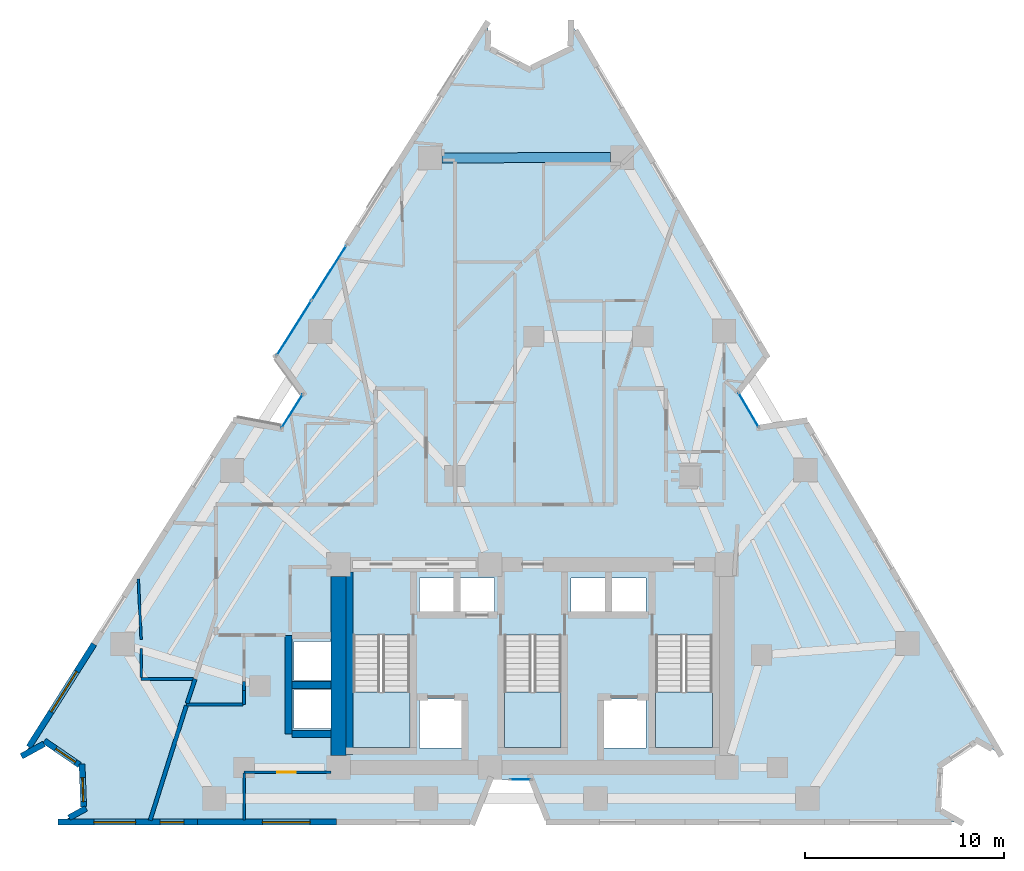
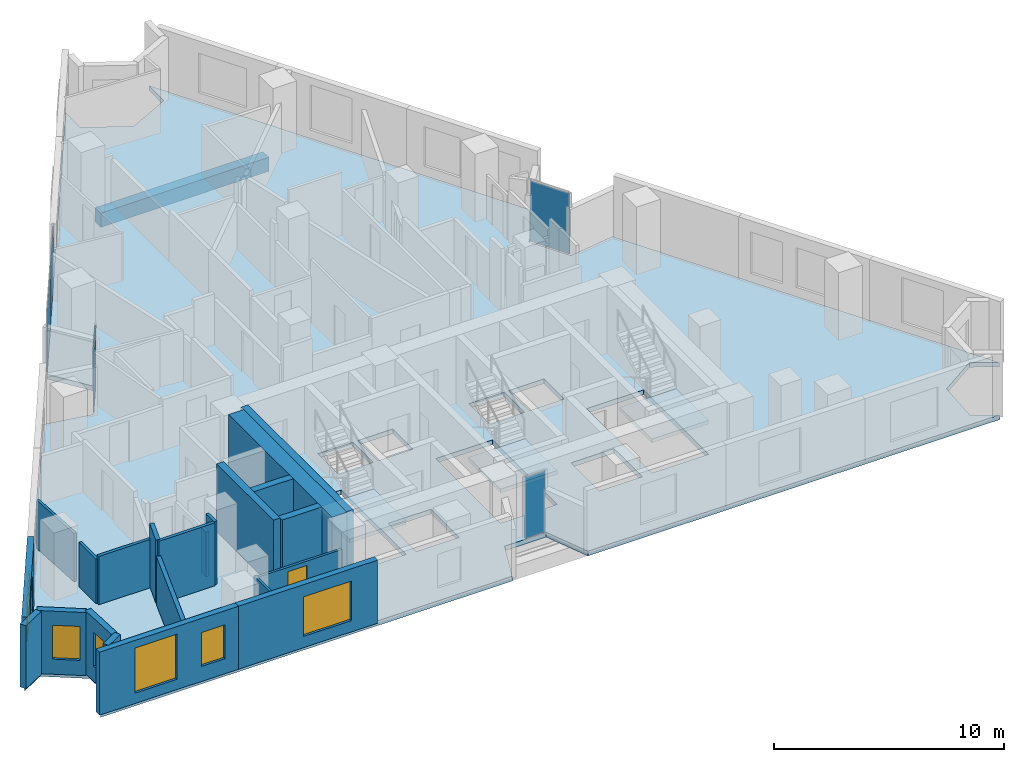
# One storey, part 5 of 12: 22 walls, 6 windows, 5 plates, 4 slabs, 1 beam, 1 door, 7 openings, 7 elements without a shape of their own.
"""IFC4 building model written with IfcOpenShell, lengths in metres."""

from ifc_helpers import new_model, si_unit, direction, frame, frame_2d, origin, origin_2d, place, context, subcontext, project, spatial, polyline, rectangle, outline, extrude, material, layer, layer_set, material_profile, profile_set, type_object, element, fill, aggregate, save


model = new_model("IFC4")

# Units and contexts
model_context = context("Model", 3, precision=1e-05, world=origin(), true_north=direction((0.0, 1.0)))
body_context = subcontext(model_context, "Body", "Model", "MODEL_VIEW")
ifc_project = project(units=[si_unit("LENGTHUNIT", "METRE"), si_unit("AREAUNIT", "SQUARE_METRE"), si_unit("VOLUMEUNIT", "CUBIC_METRE"), si_unit("PLANEANGLEUNIT", "RADIAN"), si_unit("MASSUNIT", "GRAM", prefix="KILO")], contexts=[model_context])

# Site, building, storey
site_placement = place(None, origin())
site = spatial("IfcSite", under=ifc_project, at=site_placement, CompositionType="ELEMENT")
building_placement = place(site_placement, origin())
building = spatial("IfcBuilding", under=site, at=building_placement, Name="Almagre Mirador Tower", CompositionType="ELEMENT")
storey_placement = place(building_placement, frame((0.0, 0.0, 110.39990234375)))
storey = spatial("IfcBuildingStorey", under=building, at=storey_placement, Name="L27", CompositionType="ELEMENT", Elevation=110.39990234375)

# Beam
ifc_material_1 = material(Name="Precast concrete C50/60", Category="concrete")
ifc_material_profile = material_profile(ifc_material_1, rectangle(XDim=0.5, YDim=0.75, at=origin_2d()), Name="RC500X750")
ifc_profile_set = profile_set([ifc_material_profile], Name="Precast concrete C50/60")
beam_type = type_object("IfcBeamType", Name="BM-SPN-RC500X750", PredefinedType="SPANDREL", material=ifc_profile_set)
beam_placement = place(storey_placement, frame((41.197021484375, 35.197998046875, -0.625), z_axis=(-0.999993795162, -0.003522731665, 0.0), x_axis=(0.003522731665, -0.999993795162, 0.0)))
element("IfcBeam", 1, at=beam_placement, inside=storey, type_object=beam_type, Name="L27 perimeter spandrel beam PC08-PC09", PredefinedType="SPANDREL", context=body_context, shape_type="SweptSolid", body=[
    extrude(rectangle(XDim=0.5, YDim=0.75, at=origin_2d()), origin(), (0.0, 0.0, 1.0), 8.455078125),
])

# Curtain wall, plate
ifc_material_2 = material(Name="Black anodized aluminium", Category="aluminium")
ifc_layer_1 = layer(ifc_material_2, 0.169921875)
ifc_layer_set_1 = layer_set([ifc_layer_1], Name="Black anodized aluminium")
curtain_wall_type_1 = type_object("IfcCurtainWallType", Name="CW-CRS-SYS", PredefinedType="NOTDEFINED", material=ifc_layer_set_1)
curtain_wall_1_placement = place(storey_placement, origin())
curtain_wall_1 = element("IfcCurtainWall", 2, at=curtain_wall_1_placement, inside=storey, type_object=curtain_wall_type_1, Name="L27 vertical crease curtain wall 01", PredefinedType="NOTDEFINED")
ifc_material_3 = material(Name="Dark solar-control laminated hurricane glass", Category="glass")
ifc_layer_2 = layer(ifc_material_3, 0.028076171875)
ifc_layer_set_2 = layer_set([ifc_layer_2], Name="Dark solar-control laminated hurricane glass")
plate_type_1 = type_object("IfcPlateType", Name="PLT-GLZ-28", PredefinedType="CURTAIN_PANEL", material=ifc_layer_set_2)
plate_1_placement = place(storey_placement, frame((25.217041015625, 22.449951171875, 0.06005859375), z_axis=(0.0, 0.0, 1.0), x_axis=(0.534892719084, 0.844919983827, 0.0)))
plate_1 = element("IfcPlate", 3, at=plate_1_placement, type_object=plate_type_1, Name="CW-4 panel 1.1", PredefinedType="CURTAIN_PANEL", context=body_context, shape_type="SweptSolid", body=[
    extrude(rectangle(XDim=1.97021484375, YDim=0.028076171875, at=origin_2d()), origin(), (0.0, 0.0, 1.0), 3.22998046875),
])
aggregate(curtain_wall_1, [plate_1])

curtain_wall_2_placement = place(storey_placement, origin())
curtain_wall_2 = element("IfcCurtainWall", 4, at=curtain_wall_2_placement, inside=storey, type_object=curtain_wall_type_1, Name="L27 vertical crease curtain wall 03", PredefinedType="NOTDEFINED")
plate_2_placement = place(storey_placement, frame((48.14599609375, 22.511474609375, 0.06005859375), z_axis=(0.0, 0.0, 1.0), x_axis=(0.506100018207, -0.862474794745, 0.0)))
plate_2 = element("IfcPlate", 5, at=plate_2_placement, type_object=plate_type_1, Name="CW-4 panel 1.1", PredefinedType="CURTAIN_PANEL", context=body_context, shape_type="SweptSolid", body=[
    extrude(rectangle(XDim=1.970458984375, YDim=0.028076171875, at=origin_2d()), origin(), (0.0, 0.0, 1.0), 3.22998046875),
])
aggregate(curtain_wall_2, [plate_2])

curtain_wall_3_placement = place(storey_placement, origin())
curtain_wall_3 = element("IfcCurtainWall", 6, at=curtain_wall_3_placement, inside=storey, type_object=curtain_wall_type_1, Name="L27 vertical crease curtain wall 04", PredefinedType="NOTDEFINED")
plate_3_placement = place(storey_placement, frame((36.677490234375, 3.949951171875, 0.06005859375), z_axis=(0.0, 0.0, 1.0), x_axis=(-1.0, 0.0, 0.0)))
plate_3 = element("IfcPlate", 7, at=plate_3_placement, type_object=plate_type_1, Name="CW-4 panel 1.1", PredefinedType="CURTAIN_PANEL", context=body_context, shape_type="SweptSolid", body=[
    extrude(rectangle(XDim=1.014892578125, YDim=0.028076171875, at=origin_2d()), origin(), (0.0, 0.0, 1.0), 3.22998046875),
])
aggregate(curtain_wall_3, [plate_3])

# Curtain wall, plates
ifc_material_4 = material(Name="Black anodized aluminium", Category="aluminium")
ifc_layer_3 = layer(ifc_material_4, 0.199951171875)
ifc_layer_set_3 = layer_set([ifc_layer_3], Name="Black anodized aluminium")
curtain_wall_type_2 = type_object("IfcCurtainWallType", Name="CW-RES-H-SYS", PredefinedType="NOTDEFINED", material=ifc_layer_set_3)
curtain_wall_4_placement = place(storey_placement, origin())
curtain_wall_4 = element("IfcCurtainWall", 8, at=curtain_wall_4_placement, inside=storey, type_object=curtain_wall_type_2, Name="L27 curtain wall run 02", PredefinedType="NOTDEFINED")
ifc_material_5 = material(Name="Dark solar-control laminated hurricane glass", Category="glass")
ifc_layer_4 = layer(ifc_material_5, 0.035888671875)
ifc_layer_set_4 = layer_set([ifc_layer_4], Name="Dark solar-control laminated hurricane glass")
plate_type_2 = type_object("IfcPlateType", Name="PLT-GLZ-36", PredefinedType="CURTAIN_PANEL", material=ifc_layer_set_4)
plate_4_placement = place(storey_placement, frame((25.311767578125, 26.619873046875, 0.06494140625), z_axis=(0.0, 0.0, 1.0), x_axis=(0.534887100678, 0.844923540641, 0.0)))
plate_4 = element("IfcPlate", 9, at=plate_4_placement, type_object=plate_type_2, Name="CW-3 panel 1.1", PredefinedType="CURTAIN_PANEL", context=body_context, shape_type="SweptSolid", body=[
    extrude(rectangle(XDim=3.219482421875, YDim=0.035888671875, at=origin_2d()), origin(), (0.0, 0.0, 1.0), 3.219970703125),
])
plate_5_placement = place(storey_placement, frame((27.068603515625, 29.39501953125, 0.06494140625), z_axis=(0.0, 0.0, 1.0), x_axis=(0.534887100678, 0.844923540641, 0.0)))
plate_5 = element("IfcPlate", 10, at=plate_5_placement, type_object=plate_type_2, Name="CW-3 panel 2.1", PredefinedType="CURTAIN_PANEL", context=body_context, shape_type="SweptSolid", body=[
    extrude(rectangle(XDim=3.219482421875, YDim=0.035888671875, at=origin_2d()), origin(), (0.0, 0.0, 1.0), 3.219970703125),
])
aggregate(curtain_wall_4, [plate_4, plate_5])

# Slab
ifc_material_6 = material(Name="Concrete C45/55", Category="concrete")
ifc_layer_5 = layer(ifc_material_6, 0.25)
ifc_layer_set_5 = layer_set([ifc_layer_5], Name="Concrete C45/55")
slab_type_1 = type_object("IfcSlabType", Name="SLB-FLR-250", PredefinedType="FLOOR", material=ifc_layer_set_5)
slab_1_placement = place(storey_placement, frame((0.0, 0.0, -0.25)))
element("IfcSlab", 11, at=slab_1_placement, inside=storey, type_object=slab_type_1, Name="L27 structural floor slab", PredefinedType="FLOOR", context=body_context, shape_type="SweptSolid", body=[
    extrude(outline(polyline([(11.739013671875, 5.179931640625), (12.883056640625, 5.80908203125), (14.6630859375, 4.5869140625), (14.742919921875, 2.428955078125), (13.60009765625, 1.800048828125), (34.300048828125, 1.800048828125), (35.155029296875, 3.949951171875), (37.2451171875, 3.949951171875), (38.10009765625, 1.800048828125), (58.800048828125, 1.800048828125), (57.6669921875, 2.447998046875), (57.783935546875, 4.672119140625), (59.64208984375, 5.89794921875), (60.77490234375, 5.2490234375), (50.9619140625, 21.9619140625), (48.675048828125, 21.610107421875), (47.616943359375, 23.4130859375), (49.0380859375, 25.238037109375), (39.22509765625, 41.950927734375), (39.2041015625, 40.64599609375), (37.10302734375, 39.62109375), (35.0390625, 40.715087890625), (35.06103515625, 42.02001953125), (24.416015625, 25.205078125), (25.77587890625, 23.3330078125), (24.657958984375, 21.56689453125), (22.384033203125, 21.9951171875), (11.739013671875, 5.179931640625)]), holes=[polyline([(43.47509765625, 5.550048828125), (43.47509765625, 11.196044921875), (46.324951171875, 11.196044921875), (46.324951171875, 5.550048828125), (43.47509765625, 5.550048828125)]), polyline([(40.820068359375, 5.52001953125), (40.820068359375, 7.97998046875), (42.97998046875, 7.97998046875), (42.97998046875, 5.52001953125), (40.820068359375, 5.52001953125)]), polyline([(41.219970703125, 12.320068359375), (41.219970703125, 14.080078125), (42.97998046875, 14.080078125), (42.97998046875, 12.320068359375), (41.219970703125, 12.320068359375)]), polyline([(39.219970703125, 12.320068359375), (39.219970703125, 14.080078125), (40.97998046875, 14.080078125), (40.97998046875, 12.320068359375), (39.219970703125, 12.320068359375)]), polyline([(35.875, 11.196044921875), (38.72509765625, 11.196044921875), (38.72509765625, 5.550048828125), (35.875, 5.550048828125), (35.875, 11.196044921875)]), polyline([(35.3798828125, 12.320068359375), (33.6201171875, 12.320068359375), (33.6201171875, 14.080078125), (35.3798828125, 14.080078125), (35.3798828125, 12.320068359375)]), polyline([(33.780029296875, 5.52001953125), (31.6201171875, 5.52001953125), (31.6201171875, 7.97998046875), (33.780029296875, 7.97998046875), (33.780029296875, 5.52001953125)]), polyline([(31.6201171875, 12.320068359375), (31.6201171875, 14.080078125), (33.3798828125, 14.080078125), (33.3798828125, 12.320068359375), (31.6201171875, 12.320068359375)]), polyline([(28.27490234375, 5.550048828125), (28.27490234375, 11.196044921875), (31.125, 11.196044921875), (31.125, 5.550048828125), (28.27490234375, 5.550048828125)]), polyline([(25.320068359375, 8.919921875), (25.320068359375, 10.8798828125), (27.3798828125, 10.8798828125), (27.3798828125, 8.919921875), (25.320068359375, 8.919921875)]), polyline([(27.3798828125, 6.52001953125), (25.320068359375, 6.52001953125), (25.320068359375, 8.47998046875), (27.3798828125, 8.47998046875), (27.3798828125, 6.52001953125)])]), origin(), (0.0, 0.0, 1.0), 0.25),
])

# Stair, slab
ifc_material_7 = material(Name="Concrete C45/55", Category="concrete")
stair_type = type_object("IfcStairType", Name="STR-DL-3600", PredefinedType="HALF_TURN_STAIR", material=ifc_material_7)
stair_1_placement = place(storey_placement, origin())
stair_1 = element("IfcStair", 12, at=stair_1_placement, inside=storey, type_object=stair_type, Name="L27 Protected exit stair ST-1", PredefinedType="HALF_TURN_STAIR")
ifc_material_8 = material(Name="Concrete C45/55", Category="concrete")
ifc_layer_6 = layer(ifc_material_8, 0.199951171875)
ifc_layer_set_6 = layer_set([ifc_layer_6], Name="Concrete C45/55")
slab_type_2 = type_object("IfcSlabType", Name="SLB-LND-200", PredefinedType="LANDING", material=ifc_layer_set_6)
slab_2_placement = place(storey_placement, frame((0.0, 0.0, 1.60009765625)))
slab_2 = element("IfcSlab", 13, at=slab_2_placement, type_object=slab_type_2, Name="ST-1 landing 1", PredefinedType="LANDING", context=body_context, shape_type="SweptSolid", body=[
    extrude(outline(polyline([(28.27490234375, 8.35009765625), (28.27490234375, 5.550048828125), (31.125, 5.550048828125), (31.125, 8.35009765625), (28.27490234375, 8.35009765625)])), origin(), (0.0, 0.0, 1.0), 0.199951171875),
])
aggregate(stair_1, [slab_2])

stair_2_placement = place(storey_placement, origin())
stair_2 = element("IfcStair", 14, at=stair_2_placement, inside=storey, type_object=stair_type, Name="L27 Protected exit stair ST-2", PredefinedType="HALF_TURN_STAIR")
slab_3_placement = place(storey_placement, frame((0.0, 0.0, 1.60009765625)))
slab_3 = element("IfcSlab", 15, at=slab_3_placement, type_object=slab_type_2, Name="ST-2 landing 1", PredefinedType="LANDING", context=body_context, shape_type="SweptSolid", body=[
    extrude(outline(polyline([(35.875, 8.35009765625), (35.875, 5.550048828125), (38.72509765625, 5.550048828125), (38.72509765625, 8.35009765625), (35.875, 8.35009765625)])), origin(), (0.0, 0.0, 1.0), 0.199951171875),
])
aggregate(stair_2, [slab_3])

stair_3_placement = place(storey_placement, origin())
stair_3 = element("IfcStair", 16, at=stair_3_placement, inside=storey, type_object=stair_type, Name="L27 Protected exit stair ST-3", PredefinedType="HALF_TURN_STAIR")
slab_4_placement = place(storey_placement, frame((0.0, 0.0, 1.60009765625)))
slab_4 = element("IfcSlab", 17, at=slab_4_placement, type_object=slab_type_2, Name="ST-3 landing 1", PredefinedType="LANDING", context=body_context, shape_type="SweptSolid", body=[
    extrude(outline(polyline([(43.47509765625, 8.35009765625), (43.47509765625, 5.550048828125), (46.324951171875, 5.550048828125), (46.324951171875, 8.35009765625), (43.47509765625, 8.35009765625)])), origin(), (0.0, 0.0, 1.0), 0.199951171875),
])
aggregate(stair_3, [slab_4])

# Wall, opening, window
ifc_material_9 = material(Name="Precast concrete C50/60", Category="concrete")
ifc_layer_7 = layer(ifc_material_9, 0.300048828125)
ifc_layer_set_7 = layer_set([ifc_layer_7], Name="Precast concrete C50/60")
wall_type_1 = type_object("IfcWallType", Name="WAL-EXT-300", PredefinedType="SOLIDWALL", material=ifc_layer_set_7)
wall_1_placement = place(storey_placement, frame((27.44677734375, 1.800048828125, 0.0), z_axis=(0.0, 0.0, 1.0), x_axis=(-1.0, 0.0, 0.0)))
wall_1 = element("IfcWall", 18, at=wall_1_placement, inside=storey, type_object=wall_type_1, Name="L27 expressed almagre precast frame wall 27", PredefinedType="SOLIDWALL", context=body_context, shape_type="SweptSolid", body=[
    extrude(rectangle(XDim=6.993408203125, YDim=0.300048828125, at=frame_2d((3.49658203125, 0.0))), origin(), (0.0, 0.0, 1.0), 3.35009765625),
])
opening_1_placement = place(wall_1_placement, frame((1.324951171875, 0.0, 0.60009765625)))
opening_1 = element("IfcOpeningElement", 19, at=opening_1_placement, cuts=wall_1, Name="Opening WN-02", PredefinedType="OPENING", context=body_context, shape_type="SweptSolid", body=[
    extrude(rectangle(XDim=2.39990234375, YDim=2.10009765625, at=frame_2d((1.199951171875, 1.050048828125))), frame((0.0, 0.159902, 0.0), z_axis=(0.0, -1.0, 0.0), x_axis=(1.0, 0.0, 0.0)), (0.0, 0.0, 1.0), 0.320049),
])
ifc_material_10 = material(Name="Dark solar-control laminated hurricane glass", Category="glass")
window_type_1 = type_object("IfcWindowType", Name="WIN-2400X2100", PartitioningType="TRIPLE_PANEL_VERTICAL", PredefinedType="WINDOW", material=ifc_material_10)
window_1_placement = place(opening_1_placement, origin())
window_1 = element("IfcWindow", 20, at=window_1_placement, inside=storey, type_object=window_type_1, Name="L27 recessed hurricane window L27-UA-KT", OverallHeight=2.10009765625, OverallWidth=2.39990234375, PartitioningType="SINGLE_PANEL", PredefinedType="WINDOW", context=body_context, shape_type="SweptSolid", body=[
    extrude(rectangle(XDim=2.39990234375, YDim=2.10009765625, at=frame_2d((1.199951171875, 1.050048828125))), frame((0.0, 0.030029296875, 0.0), z_axis=(0.0, -1.0, 0.0), x_axis=(1.0, 0.0, 0.0)), (0.0, 0.0, 1.0), 0.06005859375),
])
fill(opening_1, window_1)

# Wall, openings, windows
wall_2_placement = place(storey_placement, frame((20.453369140625, 1.800048828125, 0.0), z_axis=(0.0, 0.0, 1.0), x_axis=(-1.0, 0.0, 0.0)))
wall_2 = element("IfcWall", 21, at=wall_2_placement, inside=storey, type_object=wall_type_1, Name="L27 expressed almagre precast frame wall 28", PredefinedType="SOLIDWALL", context=body_context, shape_type="SweptSolid", body=[
    extrude(rectangle(XDim=6.993408203125, YDim=0.300048828125, at=frame_2d((3.49658203125, 0.0))), origin(), (0.0, 0.0, 1.0), 3.35009765625),
])
opening_2_placement = place(wall_2_placement, frame((0.675048828125, 0.0, 0.800048828125)))
opening_2 = element("IfcOpeningElement", 22, at=opening_2_placement, cuts=wall_2, Name="Opening WN-04", PredefinedType="OPENING", context=body_context, shape_type="SweptSolid", body=[
    extrude(rectangle(XDim=1.199951171875, YDim=1.800048828125, at=frame_2d((0.60009765625, 0.89990234375))), frame((0.0, 0.159902, 0.0), z_axis=(0.0, -1.0, 0.0), x_axis=(1.0, 0.0, 0.0)), (0.0, 0.0, 1.0), 0.320049),
])
opening_3_placement = place(wall_2_placement, frame((3.10009765625, 0.0, 0.550048828125)))
opening_3 = element("IfcOpeningElement", 23, at=opening_3_placement, cuts=wall_2, Name="Opening WN-05", PredefinedType="OPENING", context=body_context, shape_type="SweptSolid", body=[
    extrude(rectangle(XDim=2.10009765625, YDim=2.39990234375, at=frame_2d((1.050048828125, 1.199951171875))), frame((0.0, 0.159902, 0.0), z_axis=(0.0, -1.0, 0.0), x_axis=(1.0, 0.0, 0.0)), (0.0, 0.0, 1.0), 0.320049),
])
ifc_material_11 = material(Name="Dark solar-control laminated hurricane glass", Category="glass")
window_type_2 = type_object("IfcWindowType", Name="WIN-1200X1800", PartitioningType="SINGLE_PANEL", PredefinedType="WINDOW", material=ifc_material_11)
window_2_placement = place(opening_2_placement, origin())
window_2 = element("IfcWindow", 24, at=window_2_placement, inside=storey, type_object=window_type_2, Name="L27 recessed hurricane window L27-UA-MB", OverallHeight=1.800048828125, OverallWidth=1.199951171875, PartitioningType="SINGLE_PANEL", PredefinedType="WINDOW", context=body_context, shape_type="SweptSolid", body=[
    extrude(rectangle(XDim=1.199951171875, YDim=1.800048828125, at=frame_2d((0.60009765625, 0.89990234375))), frame((0.0, 0.030029296875, 0.0), z_axis=(0.0, -1.0, 0.0), x_axis=(1.0, 0.0, 0.0)), (0.0, 0.0, 1.0), 0.06005859375),
])
fill(opening_2, window_2)
ifc_material_12 = material(Name="Dark solar-control laminated hurricane glass", Category="glass")
window_type_3 = type_object("IfcWindowType", Name="WIN-2100X2400", PartitioningType="DOUBLE_PANEL_VERTICAL", PredefinedType="WINDOW", material=ifc_material_12)
window_3_placement = place(opening_3_placement, origin())
window_3 = element("IfcWindow", 25, at=window_3_placement, inside=storey, type_object=window_type_3, Name="L27 recessed hurricane window L27-UD-KT", OverallHeight=2.39990234375, OverallWidth=2.10009765625, PartitioningType="SINGLE_PANEL", PredefinedType="WINDOW", context=body_context, shape_type="SweptSolid", body=[
    extrude(rectangle(XDim=2.10009765625, YDim=2.39990234375, at=frame_2d((1.050048828125, 1.199951171875))), frame((0.0, 0.030029296875, 0.0), z_axis=(0.0, -1.0, 0.0), x_axis=(1.0, 0.0, 0.0)), (0.0, 0.0, 1.0), 0.06005859375),
])
fill(opening_3, window_3)

# Wall
wall_3_placement = place(storey_placement, frame((14.00732421875, 2.024169921875, 0.0), z_axis=(0.0, 0.0, 1.0), x_axis=(0.876089618579, 0.482148296914, 0.0)))
element("IfcWall", 26, at=wall_3_placement, inside=storey, type_object=wall_type_1, Name="L27 expressed almagre precast frame wall 29", PredefinedType="SOLIDWALL", context=body_context, shape_type="SweptSolid", body=[
    extrude(rectangle(XDim=0.979736328125, YDim=0.300048828125, at=frame_2d((0.48974609375, 0.0))), origin(), (0.0, 0.0, 1.0), 3.35009765625),
])

# Wall, opening, window
wall_4_placement = place(storey_placement, frame((14.737548828125, 2.578857421875, 0.0), z_axis=(0.0, 0.0, 1.0), x_axis=(-0.037141892545, 0.99931000186, 0.0)))
wall_4 = element("IfcWall", 27, at=wall_4_placement, inside=storey, type_object=wall_type_1, Name="L27 expressed almagre precast frame wall 30", PredefinedType="SOLIDWALL", context=body_context, shape_type="SweptSolid", body=[
    extrude(rectangle(XDim=2.1494140625, YDim=0.300048828125, at=frame_2d((1.07470703125, 0.0))), origin(), (0.0, 0.0, 1.0), 3.35009765625),
])
opening_4_placement = place(wall_4_placement, frame((0.260009765625, 0.0, 0.800048828125)))
opening_4 = element("IfcOpeningElement", 28, at=opening_4_placement, cuts=wall_4, Name="Opening WN-04", PredefinedType="OPENING", context=body_context, shape_type="SweptSolid", body=[
    extrude(rectangle(XDim=1.199951171875, YDim=1.800048828125, at=frame_2d((0.60009765625, 0.89990234375))), frame((0.0, 0.159902, 0.0), z_axis=(0.0, -1.0, 0.0), x_axis=(1.0, 0.0, 0.0)), (0.0, 0.0, 1.0), 0.320049),
])
window_4_placement = place(opening_4_placement, origin())
window_4 = element("IfcWindow", 29, at=window_4_placement, inside=storey, type_object=window_type_2, Name="L27 recessed hurricane window L27-UD-KT", OverallHeight=1.800048828125, OverallWidth=1.199951171875, PartitioningType="SINGLE_PANEL", PredefinedType="WINDOW", context=body_context, shape_type="SweptSolid", body=[
    extrude(rectangle(XDim=1.199951171875, YDim=1.800048828125, at=frame_2d((0.60009765625, 0.89990234375))), frame((0.0, 0.030029296875, 0.0), z_axis=(0.0, -1.0, 0.0), x_axis=(1.0, 0.0, 0.0)), (0.0, 0.0, 1.0), 0.06005859375),
])
fill(opening_4, window_4)

wall_5_placement = place(storey_placement, frame((14.539306640625, 4.671875, 0.0), z_axis=(0.0, 0.0, 1.0), x_axis=(-0.824422928204, 0.565974235678, 0.0)))
wall_5 = element("IfcWall", 30, at=wall_5_placement, inside=storey, type_object=wall_type_1, Name="L27 expressed almagre precast frame wall 31", PredefinedType="SOLIDWALL", context=body_context, shape_type="SweptSolid", body=[
    extrude(rectangle(XDim=2.149169921875, YDim=0.300048828125, at=frame_2d((1.07470703125, 0.0))), origin(), (0.0, 0.0, 1.0), 3.35009765625),
])
opening_5_placement = place(wall_5_placement, frame((0.260009765625, 0.0, 0.800048828125)))
opening_5 = element("IfcOpeningElement", 31, at=opening_5_placement, cuts=wall_5, Name="Opening WN-04", PredefinedType="OPENING", context=body_context, shape_type="SweptSolid", body=[
    extrude(rectangle(XDim=1.199951171875, YDim=1.800048828125, at=frame_2d((0.60009765625, 0.89990234375))), frame((0.0, 0.159902, 0.0), z_axis=(0.0, -1.0, 0.0), x_axis=(1.0, 0.0, 0.0)), (0.0, 0.0, 1.0), 0.320049),
])
window_5_placement = place(opening_5_placement, origin())
window_5 = element("IfcWindow", 32, at=window_5_placement, inside=storey, type_object=window_type_2, Name="L27 recessed hurricane window L27-UD-KT", OverallHeight=1.800048828125, OverallWidth=1.199951171875, PartitioningType="SINGLE_PANEL", PredefinedType="WINDOW", context=body_context, shape_type="SweptSolid", body=[
    extrude(rectangle(XDim=1.199951171875, YDim=1.800048828125, at=frame_2d((0.60009765625, 0.89990234375))), frame((0.0, 0.030029296875, 0.0), z_axis=(0.0, -1.0, 0.0), x_axis=(1.0, 0.0, 0.0)), (0.0, 0.0, 1.0), 0.06005859375),
])
fill(opening_5, window_5)

# Wall
wall_6_placement = place(storey_placement, frame((12.751708984375, 5.73681640625, 0.0), z_axis=(0.0, 0.0, 1.0), x_axis=(-0.876299432815, -0.481766856527, 0.0)))
element("IfcWall", 33, at=wall_6_placement, inside=storey, type_object=wall_type_1, Name="L27 expressed almagre precast frame wall 32", PredefinedType="SOLIDWALL", context=body_context, shape_type="SweptSolid", body=[
    extrude(rectangle(XDim=1.2958984375, YDim=0.300048828125, at=frame_2d((0.64794921875, 0.0))), origin(), (0.0, 0.0, 1.0), 3.35009765625),
])

# Wall, opening, window
wall_7_placement = place(storey_placement, frame((11.9931640625, 5.581298828125, 0.0), z_axis=(0.0, 0.0, 1.0), x_axis=(0.534883870605, 0.844925585461, 0.0)))
wall_7 = element("IfcWall", 34, at=wall_7_placement, inside=storey, type_object=wall_type_1, Name="L27 expressed almagre precast frame wall 33", PredefinedType="SOLIDWALL", context=body_context, shape_type="SweptSolid", body=[
    extrude(rectangle(XDim=6.112060546875, YDim=0.300048828125, at=frame_2d((3.05615234375, 0.0))), origin(), (0.0, 0.0, 1.0), 3.35009765625),
])
opening_6_placement = place(wall_7_placement, frame((2.0849609375, 0.0, 0.60009765625)))
opening_6 = element("IfcOpeningElement", 35, at=opening_6_placement, cuts=wall_7, Name="Opening WN-02", PredefinedType="OPENING", context=body_context, shape_type="SweptSolid", body=[
    extrude(rectangle(XDim=2.39990234375, YDim=2.10009765625, at=frame_2d((1.199951171875, 1.050048828125))), frame((0.0, 0.159902, 0.0), z_axis=(0.0, -1.0, 0.0), x_axis=(1.0, 0.0, 0.0)), (0.0, 0.0, 1.0), 0.320049),
])
window_6_placement = place(opening_6_placement, origin())
window_6 = element("IfcWindow", 36, at=window_6_placement, inside=storey, type_object=window_type_1, Name="L27 recessed hurricane window L27-UD-KT", OverallHeight=2.10009765625, OverallWidth=2.39990234375, PartitioningType="SINGLE_PANEL", PredefinedType="WINDOW", context=body_context, shape_type="SweptSolid", body=[
    extrude(rectangle(XDim=2.39990234375, YDim=2.10009765625, at=frame_2d((1.199951171875, 1.050048828125))), frame((0.0, 0.030029296875, 0.0), z_axis=(0.0, -1.0, 0.0), x_axis=(1.0, 0.0, 0.0)), (0.0, 0.0, 1.0), 0.06005859375),
])
fill(opening_6, window_6)

# Wall, opening, door
ifc_material_13 = material(Name="Gypsum acoustic stud partition", Category="other")
ifc_layer_8 = layer(ifc_material_13, 0.125)
ifc_layer_set_8 = layer_set([ifc_layer_8], Name="Gypsum acoustic stud partition")
wall_type_2 = type_object("IfcWallType", Name="WAL-PRT-125-UTL", PredefinedType="PARTITIONING", material=ifc_layer_set_8)
wall_8_placement = place(storey_placement, frame((22.800048828125, 4.320068359375, 0.0), z_axis=(0.0, 0.0, 1.0), x_axis=(1.0, 0.0, 0.0)))
wall_8 = element("IfcWall", 37, at=wall_8_placement, inside=storey, type_object=wall_type_2, Name="L27 interior partition 027", PredefinedType="PARTITIONING", context=body_context, shape_type="SweptSolid", body=[
    extrude(rectangle(XDim=4.375, YDim=0.125, at=frame_2d((2.1875, 0.0))), origin(), (0.0, 0.0, 1.0), 2.43603515625),
])
opening_7_placement = place(wall_8_placement, frame((1.654296875, 0.0, 0.0)))
opening_7 = element("IfcOpeningElement", 38, at=opening_7_placement, cuts=wall_8, Name="Opening UD-01", PredefinedType="OPENING", context=body_context, shape_type="SweptSolid", body=[
    extrude(rectangle(XDim=0.949951171875, YDim=2.199951171875, at=frame_2d((0.47509765625, 1.10009765625))), frame((0.0, 0.0725, 0.0), z_axis=(0.0, -1.0, 0.0), x_axis=(1.0, 0.0, 0.0)), (0.0, 0.0, 1.0), 0.145),
])
ifc_material_14 = material(Name="Solid American walnut timber", Category="wood")
door_type = type_object("IfcDoorType", Name="DOR-UNR-950X2200", OperationType="NOTDEFINED", PredefinedType="DOOR", material=ifc_material_14)
door_placement = place(opening_7_placement, origin())
door = element("IfcDoor", 39, at=door_placement, inside=storey, type_object=door_type, Name="DR-0888 L27 interior door L27-UA-LV to L27-UA-KT", OperationType="SINGLE_SWING_LEFT", OverallHeight=2.199951171875, OverallWidth=0.949951171875, PredefinedType="DOOR", context=body_context, shape_type="SweptSolid", body=[
    extrude(rectangle(XDim=0.949951171875, YDim=2.199951171875, at=frame_2d((0.47509765625, 1.10009765625))), frame((0.0, 0.02490234375, 0.0), z_axis=(0.0, -1.0, 0.0), x_axis=(1.0, 0.0, 0.0)), (0.0, 0.0, 1.0), 0.050048828125),
])
fill(opening_7, door)

# Walls
wall_9_placement = place(storey_placement, frame((22.800048828125, 4.2724609375, 0.0), z_axis=(0.0, 0.0, 1.0), x_axis=(0.0, -1.0, 0.0)))
element("IfcWall", 40, at=wall_9_placement, inside=storey, type_object=wall_type_2, Name="L27 interior partition 032", PredefinedType="PARTITIONING", context=body_context, shape_type="SweptSolid", body=[
    extrude(rectangle(XDim=2.37255859375, YDim=0.125, at=frame_2d((1.186279296875, 0.0))), origin(), (0.0, 0.0, 1.0), 2.570068359375),
])
wall_10_placement = place(storey_placement, frame((17.6298828125, 10.530029296875, 0.0), z_axis=(0.0, 0.0, 1.0), x_axis=(0.0, -1.0, 0.0)))
element("IfcWall", 41, at=wall_10_placement, inside=storey, type_object=wall_type_2, Name="L27 interior partition 048", PredefinedType="PARTITIONING", context=body_context, shape_type="SweptSolid", body=[
    extrude(rectangle(XDim=1.469970703125, YDim=0.125, at=frame_2d((0.73486328125, 0.0))), origin(), (0.0, 0.0, 1.0), 2.3720703125),
])
wall_11_placement = place(storey_placement, frame((17.487060546875, 14.012939453125, 0.0), z_axis=(0.0, 0.0, 1.0), x_axis=(0.046883561563, -0.998900361225, 0.0)))
element("IfcWall", 42, at=wall_11_placement, inside=storey, type_object=wall_type_2, Name="L27 interior partition 049", PredefinedType="PARTITIONING", context=body_context, shape_type="SweptSolid", body=[
    extrude(rectangle(XDim=3.04638671875, YDim=0.125, at=frame_2d((1.523193359375, 0.0))), origin(), (0.0, 0.0, 1.0), 2.570068359375),
])
ifc_material_15 = material(Name="Gypsum acoustic stud partition", Category="other")
ifc_layer_9 = layer(ifc_material_15, 0.14990234375)
ifc_layer_set_9 = layer_set([ifc_layer_9], Name="Gypsum acoustic stud partition")
wall_type_3 = type_object("IfcWallType", Name="WAL-PRT-150-STD", PredefinedType="PARTITIONING", material=ifc_layer_set_9)
wall_12_placement = place(storey_placement, frame((22.800048828125, 8.429931640625, 0.0), z_axis=(0.0, 0.0, 1.0), x_axis=(0.0, -1.0, 0.0)))
element("IfcWall", 43, at=wall_12_placement, inside=storey, type_object=wall_type_3, Name="L27 interior partition 025", PredefinedType="PARTITIONING", context=body_context, shape_type="SweptSolid", body=[
    extrude(rectangle(XDim=0.7099609375, YDim=0.14990234375, at=frame_2d((0.35498046875, 0.0))), origin(), (0.0, 0.0, 1.0), 3.35009765625),
])
wall_13_placement = place(storey_placement, frame((19.919921875, 7.719970703125, 0.0), z_axis=(0.0, 0.0, 1.0), x_axis=(1.0, 0.0, 0.0)))
element("IfcWall", 44, at=wall_13_placement, inside=storey, type_object=wall_type_3, Name="L27 interior partition 029", PredefinedType="PARTITIONING", context=body_context, shape_type="SweptSolid", body=[
    extrude(rectangle(XDim=2.820068359375, YDim=0.14990234375, at=frame_2d((1.41015625, 0.0))), origin(), (0.0, 0.0, 1.0), 3.35009765625),
])
wall_14_placement = place(storey_placement, frame((17.6298828125, 9.0, 0.0), z_axis=(0.0, 0.0, 1.0), x_axis=(1.0, 0.0, 0.0)))
element("IfcWall", 45, at=wall_14_placement, inside=storey, type_object=wall_type_3, Name="L27 interior partition 047", PredefinedType="PARTITIONING", context=body_context, shape_type="SweptSolid", body=[
    extrude(rectangle(XDim=2.625, YDim=0.14990234375, at=frame_2d((1.3125, 0.0))), origin(), (0.0, 0.0, 1.0), 2.570068359375),
])
wall_15_placement = place(storey_placement, frame((22.800048828125, 8.429931640625, 0.0), z_axis=(0.0, 0.0, 1.0), x_axis=(0.0, 1.0, 0.0)))
element("IfcWall", 46, at=wall_15_placement, inside=storey, type_object=wall_type_3, Name="L27 interior partition 098", PredefinedType="PARTITIONING", context=body_context, shape_type="SweptSolid", body=[
    extrude(rectangle(XDim=0.440185546875, YDim=0.14990234375, at=frame_2d((0.22021484375, 0.0))), origin(), (0.0, 0.0, 1.0), 2.3720703125),
])
ifc_material_16 = material(Name="Gypsum acoustic stud partition", Category="other")
ifc_layer_10 = layer(ifc_material_16, 0.199951171875)
ifc_layer_set_10 = layer_set([ifc_layer_10], Name="Gypsum acoustic stud partition")
wall_type_4 = type_object("IfcWallType", Name="WAL-PRT-200-EI60", PredefinedType="PARTITIONING", material=ifc_layer_set_10)
wall_16_placement = place(storey_placement, frame((20.340087890625, 9.0, 0.0), z_axis=(0.0, 0.0, 1.0), x_axis=(-0.311842662142, -0.950133755883, 0.0)))
element("IfcWall", 47, at=wall_16_placement, inside=storey, type_object=wall_type_4, Name="L27 interior partition 031", PredefinedType="PARTITIONING", context=body_context, shape_type="SweptSolid", body=[
    extrude(rectangle(XDim=1.287109375, YDim=0.199951171875, at=frame_2d((0.6435546875, 0.0))), origin(), (0.0, 0.0, 1.0), 3.35009765625),
])
wall_17_placement = place(storey_placement, frame((19.90185546875, 7.662841796875, 0.0), z_axis=(0.0, 0.0, 1.0), x_axis=(-0.300992296292, -0.953626571344, 0.0)))
element("IfcWall", 48, at=wall_17_placement, inside=storey, type_object=wall_type_4, Name="L27 interior partition 034", PredefinedType="PARTITIONING", context=body_context, shape_type="SweptSolid", body=[
    extrude(rectangle(XDim=6.04931640625, YDim=0.199951171875, at=frame_2d((3.024658203125, 0.0))), origin(), (0.0, 0.0, 1.0), 2.570068359375),
])
ifc_material_17 = material(Name="Concrete C60/75", Category="concrete")
ifc_layer_11 = layer(ifc_material_17, 0.35009765625)
ifc_layer_set_11 = layer_set([ifc_layer_11], Name="Concrete C60/75")
wall_type_5 = type_object("IfcWallType", Name="WAL-SHF-350", PredefinedType="SOLIDWALL", material=ifc_layer_set_11)
wall_18_placement = place(storey_placement, frame((28.10009765625, 5.199951171875, 0.0), z_axis=(0.0, 0.0, 1.0), x_axis=(0.0, 1.0, 0.0)))
element("IfcWall", 49, at=wall_18_placement, inside=storey, type_object=wall_type_5, Name="L27 shaft wall ST1-W", PredefinedType="SOLIDWALL", context=body_context, shape_type="SweptSolid", body=[
    extrude(rectangle(XDim=9.175048828125, YDim=0.35009765625, at=frame_2d((4.58740234375, 0.0))), origin(), (0.0, 0.0, 1.0), 3.60009765625),
])
wall_19_placement = place(storey_placement, frame((25.02490234375, 6.22509765625, 0.0), z_axis=(0.0, 0.0, 1.0), x_axis=(0.0, 1.0, 0.0)))
element("IfcWall", 50, at=wall_19_placement, inside=storey, type_object=wall_type_5, Name="L27 shaft wall OL-W", PredefinedType="SOLIDWALL", context=body_context, shape_type="SweptSolid", body=[
    extrude(rectangle(XDim=4.949951171875, YDim=0.35009765625, at=frame_2d((2.47509765625, 0.0))), origin(), (0.0, 0.0, 1.0), 3.60009765625),
])
for number, where, z_axis, x_axis, name in (
    (51, (25.199951171875, 6.22509765625, 0.0), (0.0, 0.0, 1.0), (1.0, 0.0, 0.0), "L27 shaft wall OL-S"),
    (52, (25.199951171875, 8.699951171875, 0.0), (0.0, 0.0, 1.0), (1.0, 0.0, 0.0), "L27 shaft wall OL-M"),
):
    element("IfcWall", number, at=place(storey_placement, frame(where, z_axis=z_axis, x_axis=x_axis)), inside=storey, type_object=wall_type_5, Name=name, PredefinedType="SOLIDWALL", context=body_context, shape_type="SweptSolid", body=[
        extrude(rectangle(XDim=1.97509765625, YDim=0.35009765625, at=frame_2d((0.987548828125, 0.0))), origin(), (0.0, 0.0, 1.0), 3.60009765625),
    ])
ifc_material_18 = material(Name="Concrete C60/75", Category="concrete")
ifc_layer_12 = layer(ifc_material_18, 0.75)
ifc_layer_set_12 = layer_set([ifc_layer_12], Name="Concrete C60/75")
wall_type_6 = type_object("IfcWallType", Name="WAL-SHR-750", PredefinedType="SHEAR", material=ifc_layer_set_12)
wall_20_placement = place(storey_placement, frame((27.550048828125, 5.14990234375, 0.0), z_axis=(0.0, 0.0, 1.0), x_axis=(0.0, 1.0, 0.0)))
element("IfcWall", 53, at=wall_20_placement, inside=storey, type_object=wall_type_6, Name="L27 core shear wall W1", PredefinedType="SHEAR", context=body_context, shape_type="SweptSolid", body=[
    extrude(rectangle(XDim=9.0, YDim=0.75, at=frame_2d((4.5, 0.0))), origin(), (0.0, 0.0, 1.0), 3.60009765625),
])

save(model, "model.ifc")
